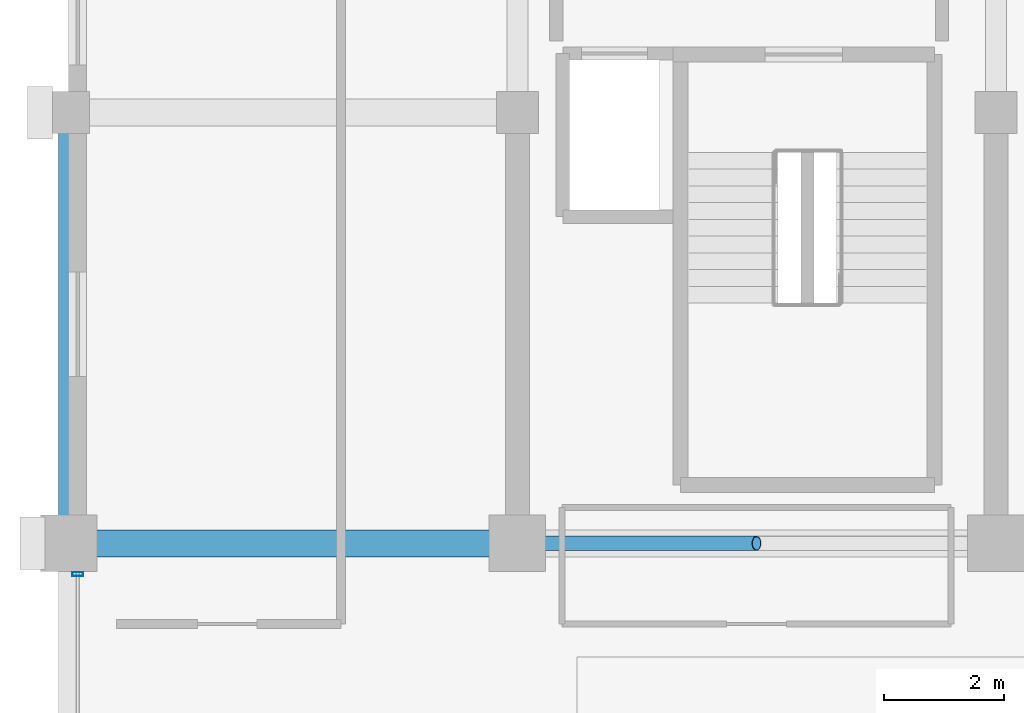
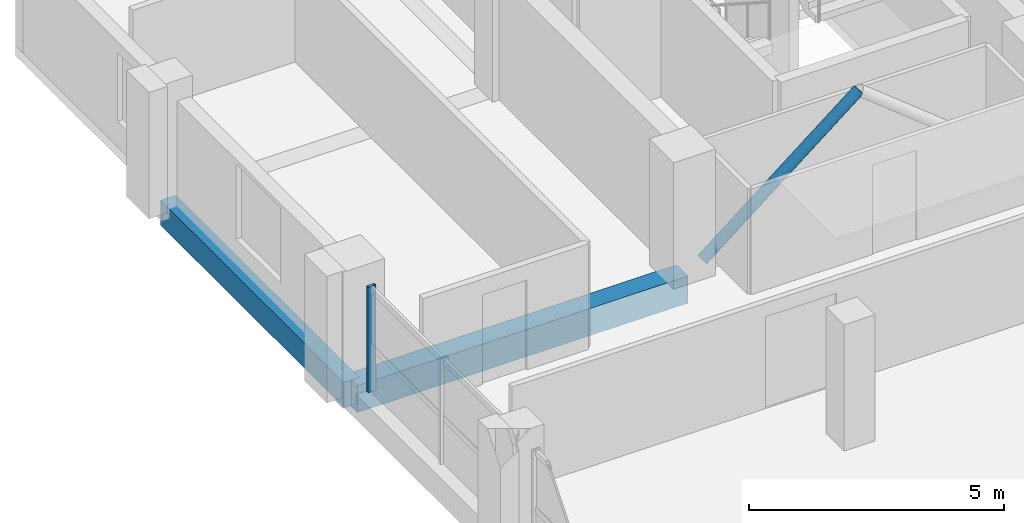
# One storey, part 12 of 25: 2 beams, 2 members, 1 element without a shape of its own.
"""IFC4 building model written with IfcOpenShell, lengths in metres."""

from ifc_helpers import new_model, si_unit, direction, frame, origin, origin_2d, place, context, subcontext, project, spatial, rectangle, hollow_rectangle, hollow_circle, extrude, material, material_profile, profile_set, type_object, element, aggregate, save


model = new_model("IFC4")

# Units and contexts
model_context = context("Model", 3, precision=1e-05, world=origin(), true_north=direction((0.0, 1.0)))
body_context = subcontext(model_context, "Body", "Model", "MODEL_VIEW")
ifc_project = project(units=[si_unit("LENGTHUNIT", "METRE"), si_unit("AREAUNIT", "SQUARE_METRE"), si_unit("VOLUMEUNIT", "CUBIC_METRE"), si_unit("PLANEANGLEUNIT", "RADIAN"), si_unit("MASSUNIT", "GRAM", prefix="KILO")], contexts=[model_context])

# Site, building, storey
site_placement = place(None, origin())
site = spatial("IfcSite", under=ifc_project, at=site_placement, CompositionType="ELEMENT")
building_placement = place(site_placement, origin())
building = spatial("IfcBuilding", under=site, at=building_placement, Name="Akrevak Sports Hall", CompositionType="ELEMENT")
storey_placement = place(building_placement, frame((0.0, 0.0, 50.300048828125)))
storey = spatial("IfcBuildingStorey", under=building, at=storey_placement, Name="L12", CompositionType="ELEMENT", Elevation=50.300048828125)

# Curtain wall, member
ifc_material_1 = material(Name="Anodized Bronze Aluminium & Low-E Glass", Category="aluminium")
curtain_wall_type = type_object("IfcCurtainWallType", Name="ARC-CW-TWR-72x30", PredefinedType="NOTDEFINED", material=ifc_material_1)
curtain_wall_placement = place(storey_placement, origin())
curtain_wall = element("IfcCurtainWall", 1, at=curtain_wall_placement, inside=storey, type_object=curtain_wall_type, Name="Curtain Wall CW-L12-W30", PredefinedType="NOTDEFINED")
ifc_material_2 = material(Name="Anodized Bronze Aluminium", Category="aluminium")
ifc_material_profile_1 = material_profile(ifc_material_2, hollow_rectangle(XDim=0.06494140625, YDim=0.179931640625, WallThickness=0.00390625, at=origin_2d()), Name="CWM 65x180", Category="aluminium")
ifc_profile_set_1 = profile_set([ifc_material_profile_1], Name="Anodized Bronze Aluminium")
member_type_1 = type_object("IfcMemberType", Name="ARC-CWM-65x140", PredefinedType="MULLION", material=ifc_profile_set_1)
member_1_placement = place(storey_placement, frame((52.64990234375, 54.68505859375, 0.0), z_axis=(0.0, 0.0, 1.0), x_axis=(0.0, -1.0, 0.0)))
member_1 = element("IfcMember", 2, at=member_1_placement, type_object=member_type_1, Name="Curtain Wall Mullion CW-L12-W30-M1", PredefinedType="MULLION", context=body_context, shape_type="SweptSolid", body=[
    extrude(hollow_rectangle(XDim=0.06494140625, YDim=0.179931640625, WallThickness=0.00390625, at=origin_2d()), origin(), (0.0, 0.0, 1.0), 2.530029296875),
])
aggregate(curtain_wall, [member_1])

# Beams
ifc_material_3 = material(Name="Concrete C40/50", Category="concrete")
ifc_material_profile_2 = material_profile(ifc_material_3, rectangle(XDim=0.35009765625, YDim=0.60009765625, at=origin_2d()), Name="BM 350x600", Category="concrete")
ifc_profile_set_2 = profile_set([ifc_material_profile_2], Name="Concrete C40/50")
beam_type_1 = type_object("IfcBeamType", Name="STR-BM-RC350x600", PredefinedType="BEAM", material=ifc_profile_set_2)
beam_1_placement = place(storey_placement, frame((52.5, 55.199951171875, -0.300048828125), z_axis=(0.0, 1.0, 0.0), x_axis=(-1.0, 0.0, 0.0)))
element("IfcBeam", 3, at=beam_1_placement, inside=storey, type_object=beam_type_1, Name="Girder 8/I-J (L12)", PredefinedType="BEAM", context=body_context, shape_type="SweptSolid", body=[
    extrude(rectangle(XDim=0.35009765625, YDim=0.60009765625, at=origin_2d()), origin(), (0.0, 0.0, 1.0), 7.199951171875),
])
ifc_material_profile_3 = material_profile(ifc_material_3, rectangle(XDim=0.449951171875, YDim=0.64990234375, at=origin_2d()), Name="BM 450x650", Category="concrete")
ifc_profile_set_3 = profile_set([ifc_material_profile_3], Name="Concrete C40/50")
beam_type_2 = type_object("IfcBeamType", Name="STR-BM-RC450x650", PredefinedType="BEAM", material=ifc_profile_set_3)
beam_2_placement = place(storey_placement, frame((52.5, 55.199951171875, -0.324951171875), z_axis=(1.0, 0.0, 0.0), x_axis=(0.0, 1.0, 0.0)))
element("IfcBeam", 4, at=beam_2_placement, inside=storey, type_object=beam_type_2, Name="Girder I/8-9 (L12)", PredefinedType="BEAM", context=body_context, shape_type="SweptSolid", body=[
    extrude(rectangle(XDim=0.449951171875, YDim=0.64990234375, at=origin_2d()), origin(), (0.0, 0.0, 1.0), 7.5),
])

# Member
ifc_material_4 = material(Name="Steel S355", Category="steel")
ifc_material_profile_4 = material_profile(ifc_material_4, hollow_circle(Radius=0.122314453125, WallThickness=0.012451171875, at=origin_2d()), Name="CHS 244.5x12.5", Category="steel")
ifc_profile_set_4 = profile_set([ifc_material_profile_4], Name="Steel S355")
member_type_2 = type_object("IfcMemberType", Name="STR-MEM-BRACE-CHS244", PredefinedType="BRACE", material=ifc_profile_set_4)
member_2_placement = place(storey_placement, frame((60.449951171875, 55.199951171875, 0.099853515625), z_axis=(0.781937911139, 0.0, 0.623356321155), x_axis=(0.0, 1.0, 0.0)))
element("IfcMember", 5, at=member_2_placement, inside=storey, type_object=member_type_2, Name="Tower Chevron Steel Brace L12-5A", PredefinedType="BRACE", context=body_context, shape_type="SweptSolid", body=[
    extrude(hollow_circle(Radius=0.122314453125, WallThickness=0.012451171875, at=origin_2d()), origin(), (0.0, 0.0, 1.0), 4.5400390625),
])

save(model, "model.ifc")
